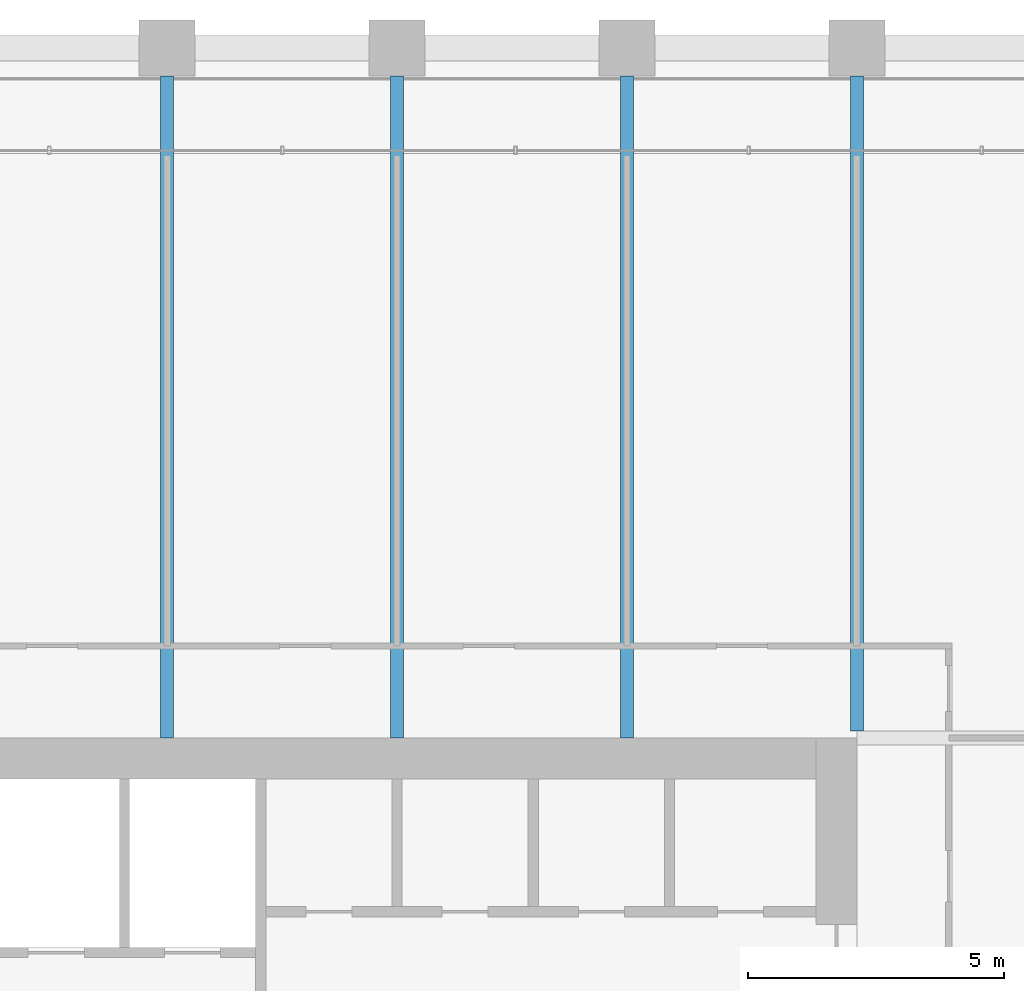
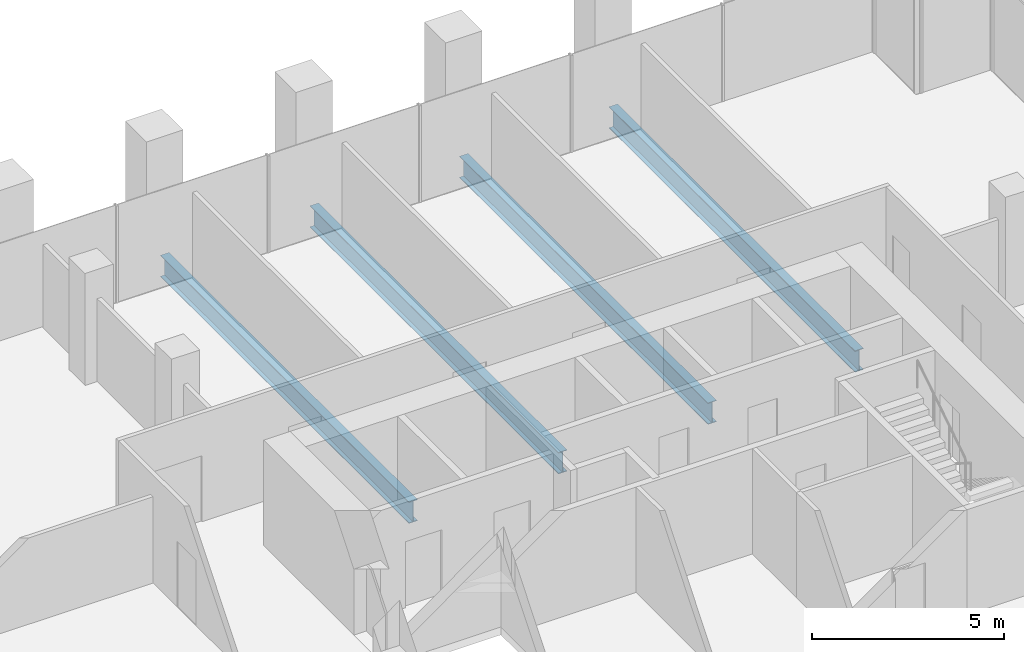
# One storey, part 28 of 56: 4 beams.
"""IFC4 building model written with IfcOpenShell, lengths in metres."""

import ifcopenshell
import ifcopenshell.guid

model = None  # the IFC model being written
_history = None  # IfcOwnerHistory: only IFC2X3 demands one
_inside = {}  # id of a spatial element -> (the spatial element, [elements in it])
_under = {}  # id of a project, library or spatial element -> (it, [spatial elements below it])
_declared = {}  # id of a project -> (the project, [libraries it declares])
_typed = {}  # id of a type object -> (the type object, [elements of that type])
_made_of = {}  # id of a material, layer set ... -> (it, [elements and type objects made of it])


def new_model(schema):
    """Start an empty IFC model of exactly this schema.

    Asked for "IFC4X3", IfcOpenShell would pick the latest addendum, in which some entities
    have other attributes; the version numbers below select the first issue.
    IFC2X3 requires an IfcOwnerHistory on every rooted entity: one is made here for all.
    """
    global model, _history
    if schema == "IFC4X3":
        model = ifcopenshell.file(schema_version=(4, 3, 0, 0))
    else:
        model = ifcopenshell.file(schema=schema)
    _inside.clear()
    _under.clear()
    _declared.clear()
    _typed.clear()
    _made_of.clear()
    _history = None
    if model.schema == "IFC2X3":
        org = make("IfcOrganization", Name="unknown")
        user = make(
            "IfcPersonAndOrganization",
            ThePerson=make("IfcPerson", FamilyName="unknown"),
            TheOrganization=org,
        )
        app = make(
            "IfcApplication",
            ApplicationDeveloper=org,
            Version="unknown",
            ApplicationFullName="unknown",
            ApplicationIdentifier="unknown",
        )
        _history = make(
            "IfcOwnerHistory",
            OwningUser=user,
            OwningApplication=app,
            ChangeAction="ADDED",
            CreationDate=0,
        )
    return model


def make(cls, **values):
    """One entity of the class cls with the attributes given. An attribute that is None is left unset."""
    return model.create_entity(
        cls, **{name: value for name, value in values.items() if value is not None}
    )


def rooted(cls, **values):
    """An entity with a GlobalId (a new one), such as an element, a storey or a relation."""
    return make(cls, GlobalId=ifcopenshell.guid.new(), OwnerHistory=_history, **values)


def si_unit(unit_type, name, prefix=None):
    """IfcSIUnit, for example si_unit("LENGTHUNIT", "METRE", prefix="MILLI")."""
    return make("IfcSIUnit", UnitType=unit_type, Prefix=prefix, Name=name)


def assignment(units):
    """IfcUnitAssignment: the units of a project."""
    return None if units is None else make("IfcUnitAssignment", Units=units)


def point(xyz):
    """IfcCartesianPoint."""
    return None if xyz is None else make("IfcCartesianPoint", Coordinates=xyz)


def direction(xyz):
    """IfcDirection."""
    return None if xyz is None else make("IfcDirection", DirectionRatios=xyz)


def frame(location, z_axis=None, x_axis=None):
    """IfcAxis2Placement3D, a coordinate frame: its origin and axes. An axis left out is left unset."""
    return make(
        "IfcAxis2Placement3D",
        Location=point(location),
        Axis=direction(z_axis),
        RefDirection=direction(x_axis),
    )


def frame_2d(location, x_axis=None):
    """IfcAxis2Placement2D, a coordinate frame in the plane: its origin and x axis."""
    return make(
        "IfcAxis2Placement2D", Location=point(location), RefDirection=direction(x_axis)
    )


def origin():
    """The frame at (0, 0, 0) with its axes left unset."""
    return frame((0.0, 0.0, 0.0))


def origin_2d():
    """The frame at (0, 0) in the plane with its x axis left unset."""
    return frame_2d((0.0, 0.0))


def place(relative_to, where):
    """IfcLocalPlacement: puts the frame where relative to a parent placement (None: the world)."""
    return make(
        "IfcLocalPlacement", PlacementRelTo=relative_to, RelativePlacement=where
    )


def context(
    kind, dimensions, precision=None, world=None, true_north=None, identifier=None
):
    """IfcGeometricRepresentationContext, for example the 3D "Model" context."""
    return make(
        "IfcGeometricRepresentationContext",
        ContextIdentifier=identifier,
        ContextType=kind,
        CoordinateSpaceDimension=dimensions,
        Precision=precision,
        WorldCoordinateSystem=world,
        TrueNorth=true_north,
    )


def subcontext(parent, identifier, kind, view, scale=None):
    """IfcGeometricRepresentationSubContext, for example "Body" below "Model"."""
    return make(
        "IfcGeometricRepresentationSubContext",
        ContextIdentifier=identifier,
        ContextType=kind,
        ParentContext=parent,
        TargetScale=scale,
        TargetView=view,
    )


def project(units=None, contexts=None):
    """IfcProject with its units and contexts."""
    return rooted(
        "IfcProject",
        Name="project",
        RepresentationContexts=contexts,
        UnitsInContext=assignment(units),
    )


def spatial(cls, under=None, at=None, **own):
    """A site, building, storey or space (cls), placed at a placement, below another one or the project."""
    s = rooted(cls, ObjectPlacement=at, **own)
    if under is not None:
        _under.setdefault(under.id(), (under, []))[1].append(s)
    return s


def profile(cls, at=None, kind="AREA", **sizes):
    """A parametric profile (cls). Its sizes go by their IFC names, for example OverallWidth=200.0."""
    return make(cls, ProfileType=kind, Position=at, **sizes)


def i_section(**sizes):
    """IfcIShapeProfileDef."""
    return profile("IfcIShapeProfileDef", **sizes)


def extrude(swept, where, along, depth):
    """IfcExtrudedAreaSolid: the profile swept, set in the frame where, extruded along a direction by depth."""
    return make(
        "IfcExtrudedAreaSolid",
        SweptArea=swept,
        Position=where,
        ExtrudedDirection=direction(along),
        Depth=depth,
    )


def shape(context_of_items, identifier, shape_type, items):
    """IfcShapeRepresentation: the items that make up one representation, for example the "Body"."""
    return make(
        "IfcShapeRepresentation",
        ContextOfItems=context_of_items,
        RepresentationIdentifier=identifier,
        RepresentationType=shape_type,
        Items=items,
    )


def material(Name=None, Category=None):
    """IfcMaterial."""
    return make("IfcMaterial", Name=Name, Category=Category)


def material_profile(
    of_material, cross_section, Name=None, Category=None, Priority=None
):
    """IfcMaterialProfile: a cross section and its material."""
    return make(
        "IfcMaterialProfile",
        Name=Name,
        Material=of_material,
        Profile=cross_section,
        Priority=Priority,
        Category=Category,
    )


def profile_set(profiles, Name=None, composite=None):
    """IfcMaterialProfileSet."""
    return make(
        "IfcMaterialProfileSet",
        Name=Name,
        MaterialProfiles=profiles,
        CompositeProfile=composite,
    )


def made_of(thing, what):
    """Note that an element or type object is made of a material, layer set ...; save() writes the relation."""
    if what is not None:
        _made_of.setdefault(what.id(), (what, []))[1].append(thing)
    return thing


def type_object(cls, material=None, **own):
    """A type object (cls), such as IfcWallType, which elements share."""
    return made_of(rooted(cls, **own), material)


def element(
    cls,
    number,
    at=None,
    inside=None,
    cuts=None,
    type_object=None,
    material=None,
    context=None,
    identifier="Body",
    shape_type=None,
    held_by="IfcProductDefinitionShape",
    body=None,
    shapes=None,
    **own,
):
    """One element of the class cls, such as IfcWall. Its Tag is "e" and its number.

    at: its placement. inside: the storey or other place that contains it. cuts: it is an
    opening in that element (IfcRelVoidsElement). A single representation is given by context,
    identifier, shape_type and body (its items); several are given by shapes. held_by: the class
    of the entity that holds the representations. save() writes the other relations.
    """
    e = rooted(cls, Tag="e%d" % number, ObjectPlacement=at, **own)
    if body is not None:
        shapes = [shape(context, identifier, shape_type, body)]
    if shapes is not None:
        e.Representation = make(held_by, Representations=shapes)
    if inside is not None:
        _inside.setdefault(inside.id(), (inside, []))[1].append(e)
    if cuts is not None:
        rooted(
            "IfcRelVoidsElement", RelatingBuildingElement=cuts, RelatedOpeningElement=e
        )
    if type_object is not None:
        _typed.setdefault(type_object.id(), (type_object, []))[1].append(e)
    return made_of(e, material)


def aggregate(whole, parts):
    """IfcRelAggregates: a whole, such as a stair, and the parts it consists of."""
    return rooted("IfcRelAggregates", RelatingObject=whole, RelatedObjects=parts)


def save(model, path):
    """Write the relations noted so far, then the file.

    IfcRelAggregates (storeys below a building ...), IfcRelContainedInSpatialStructure (elements
    in a storey), IfcRelDefinesByType, IfcRelAssociatesMaterial and IfcRelDeclares: one each for
    every whole, place, type object, material and project.
    """
    for whole, parts in _under.values():
        aggregate(whole, parts)
    for where, things in _inside.values():
        rooted(
            "IfcRelContainedInSpatialStructure",
            RelatedElements=things,
            RelatingStructure=where,
        )
    for kind, things in _typed.values():
        rooted("IfcRelDefinesByType", RelatedObjects=things, RelatingType=kind)
    for what, things in _made_of.values():
        rooted("IfcRelAssociatesMaterial", RelatedObjects=things, RelatingMaterial=what)
    for by, libraries in _declared.values():
        rooted("IfcRelDeclares", RelatingContext=by, RelatedDefinitions=libraries)
    model.write(path)


model = new_model("IFC4")

# Units and contexts
model_context = context("Model", 3, precision=1e-05, world=origin(), true_north=direction((0.0, 1.0)))
body_context = subcontext(model_context, "Body", "Model", "MODEL_VIEW")
ifc_project = project(units=[si_unit("LENGTHUNIT", "METRE"), si_unit("AREAUNIT", "SQUARE_METRE"), si_unit("VOLUMEUNIT", "CUBIC_METRE"), si_unit("PLANEANGLEUNIT", "RADIAN"), si_unit("MASSUNIT", "GRAM", prefix="KILO")], contexts=[model_context])

# Site, building, storey
site_placement = place(None, origin())
site = spatial("IfcSite", under=ifc_project, at=site_placement, CompositionType="ELEMENT")
building_placement = place(site_placement, origin())
building = spatial("IfcBuilding", under=site, at=building_placement, Name="Altepetl Exchange Towers", CompositionType="ELEMENT")
storey_placement = place(building_placement, frame((0.0, 0.0, 76.199951171875)))
storey = spatial("IfcBuildingStorey", under=building, at=storey_placement, Name="L18", CompositionType="ELEMENT", Elevation=76.199951171875)

# Beams
ifc_material = material(Name="Steel S355", Category="steel")
ifc_material_profile = material_profile(ifc_material, i_section(OverallWidth=0.25390625, OverallDepth=0.68408203125, WebThickness=0.012451171875, FlangeThickness=0.018798828125, at=origin_2d()), Name="W27X94")
ifc_profile_set = profile_set([ifc_material_profile], Name="Steel S355")
beam_type = type_object("IfcBeamType", Name="Floor beam W27X94", PredefinedType="BEAM", material=ifc_profile_set)
for number, where, z_axis, x_axis, name in (
    (1, (45.0, 58.5, -0.491943359375), (0.0, 1.0, 0.0), (-1.0, 0.0, 0.0), "bm:A:L18:000"),
    (2, (49.5, 58.5, -0.491943359375), (0.0, 1.0, 0.0), (-1.0, 0.0, 0.0), "bm:A:L18:001"),
    (3, (54.0, 58.5, -0.491943359375), (0.0, 1.0, 0.0), (-1.0, 0.0, 0.0), "bm:A:L18:002"),
):
    element("IfcBeam", number, at=place(storey_placement, frame(where, z_axis=z_axis, x_axis=x_axis)), inside=storey, type_object=beam_type, Name=name, PredefinedType="BEAM", context=body_context, shape_type="SweptSolid", body=[
        extrude(i_section(OverallWidth=0.25390625, OverallDepth=0.68408203125, WebThickness=0.012451171875, FlangeThickness=0.018798828125, at=origin_2d()), origin(), (0.0, 0.0, 1.0), 12.949951171875),
    ])
beam_placement = place(storey_placement, frame((58.5, 58.634033203125, -0.491943359375), z_axis=(0.0, 1.0, 0.0), x_axis=(-1.0, 0.0, 0.0)))
element("IfcBeam", 4, at=beam_placement, inside=storey, type_object=beam_type, Name="bm:A:L18:003", PredefinedType="BEAM", context=body_context, shape_type="SweptSolid", body=[
    extrude(i_section(OverallWidth=0.25390625, OverallDepth=0.68408203125, WebThickness=0.012451171875, FlangeThickness=0.018798828125, at=origin_2d()), origin(), (0.0, 0.0, 1.0), 12.81591796875),
])

save(model, "model.ifc")
